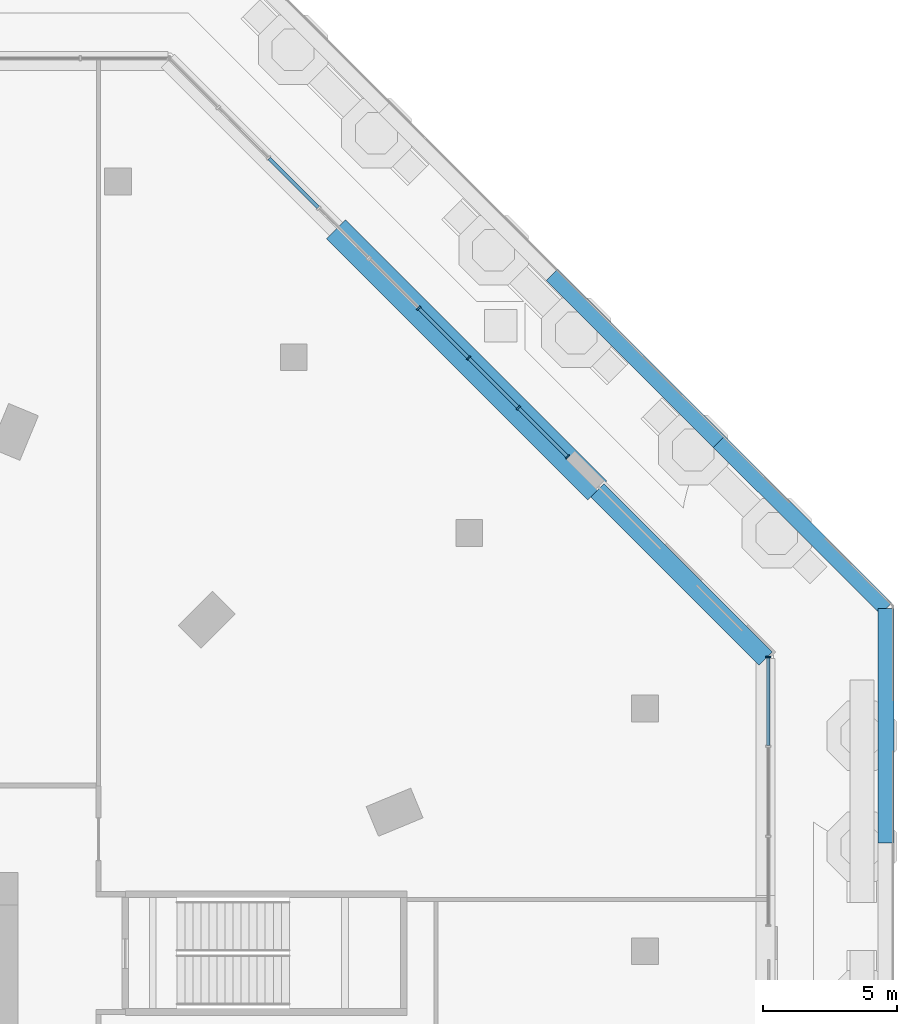
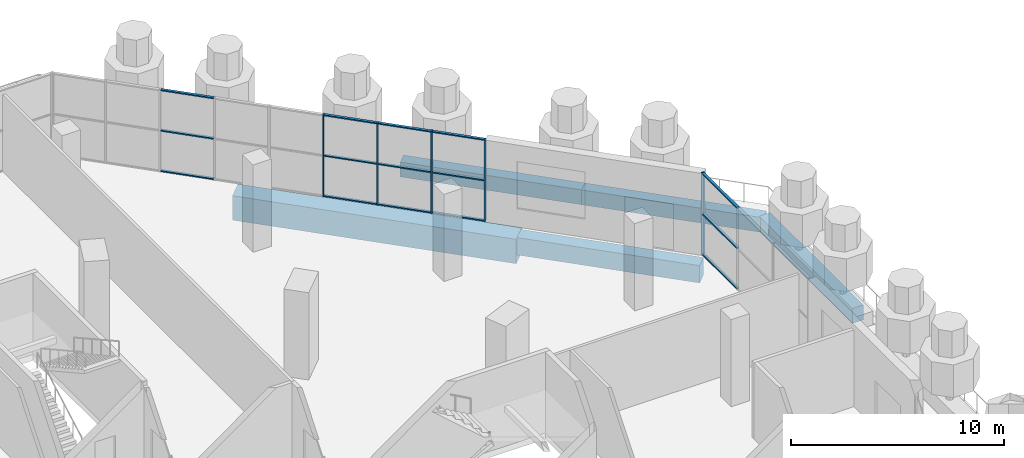
# One storey, part 16 of 32: 20 members, 5 beams, 3 elements without a shape of their own.
"""IFC4 building model written with IfcOpenShell, lengths in metres."""

from ifc_helpers import new_model, si_unit, direction, frame, origin, origin_2d, place, context, subcontext, project, spatial, rectangle, extrude, material, material_profile, profile_set, type_object, element, aggregate, save


model = new_model("IFC4")

# Units and contexts
model_context = context("Model", 3, precision=1e-05, world=origin(), true_north=direction((0.0, 1.0)))
body_context = subcontext(model_context, "Body", "Model", "MODEL_VIEW")
ifc_project = project(units=[si_unit("LENGTHUNIT", "METRE"), si_unit("AREAUNIT", "SQUARE_METRE"), si_unit("VOLUMEUNIT", "CUBIC_METRE"), si_unit("PLANEANGLEUNIT", "RADIAN"), si_unit("MASSUNIT", "GRAM", prefix="KILO")], contexts=[model_context])

# Site, building, storey
site_placement = place(None, origin())
site = spatial("IfcSite", under=ifc_project, at=site_placement, CompositionType="ELEMENT")
building_placement = place(site_placement, origin())
building = spatial("IfcBuilding", under=site, at=building_placement, Name="Msitu Wima Residences", CompositionType="ELEMENT")
storey_placement = place(building_placement, frame((0.0, 0.0, 6.0)))
storey = spatial("IfcBuildingStorey", under=building, at=storey_placement, Name="L01", CompositionType="ELEMENT", Elevation=6.0)

# Curtain wall, member
ifc_material_1 = material(Name="Anodised aluminium, bronze finish, clear low-emissivity double glazing", Category="aluminium")
curtain_wall_type = type_object("IfcCurtainWallType", Name="Curtain wall CW5 retail shopfront", PredefinedType="NOTDEFINED", material=ifc_material_1)
curtain_wall_1_placement = place(storey_placement, origin())
curtain_wall_1 = element("IfcCurtainWall", 1, at=curtain_wall_1_placement, inside=storey, type_object=curtain_wall_type, Name="Curtain wall CW5 L01 E3", PredefinedType="NOTDEFINED")
ifc_material_2 = material(Name="Anodised aluminium, bronze finish", Category="aluminium")
ifc_material_profile_1 = material_profile(ifc_material_2, rectangle(XDim=0.179931640625, YDim=0.06494140625, at=origin_2d()), Name="Mullion 65x180")
ifc_profile_set_1 = profile_set([ifc_material_profile_1], Name="Anodised aluminium, bronze finish")
member_type_1 = type_object("IfcMemberType", Name="Mullion CW5 65x180", PredefinedType="MULLION", material=ifc_profile_set_1)
member_1_placement = place(storey_placement, frame((42.39990234375, 20.052490234375, 0.0), z_axis=(0.0, 0.0, 1.0), x_axis=(-1.0, 0.0, 0.0)))
member_1 = element("IfcMember", 2, at=member_1_placement, type_object=member_type_1, Name="CW5 mullion 4", PredefinedType="MULLION", context=body_context, shape_type="SweptSolid", body=[
    extrude(rectangle(XDim=0.179931640625, YDim=0.06494140625, at=origin_2d()), origin(), (0.0, 0.0, 1.0), 4.699951171875),
])

# Curtain wall, members
curtain_wall_2_placement = place(storey_placement, origin())
curtain_wall_2 = element("IfcCurtainWall", 3, at=curtain_wall_2_placement, inside=storey, type_object=curtain_wall_type, Name="Curtain wall CW5 L01 NE1", PredefinedType="NOTDEFINED")
member_2_placement = place(storey_placement, frame((34.91162109375, 27.521728515625, 0.0), z_axis=(0.0, 0.0, 1.0), x_axis=(-0.707106781187, -0.707106781187, 0.0)))
member_2 = element("IfcMember", 4, at=member_2_placement, type_object=member_type_1, Name="CW5 mullion 1", PredefinedType="MULLION", context=body_context, shape_type="SweptSolid", body=[
    extrude(rectangle(XDim=0.179931640625, YDim=0.06494140625, at=origin_2d()), origin(), (0.0, 0.0, 1.0), 4.699951171875),
])
member_3_placement = place(storey_placement, frame((33.07568359375, 29.357666015625, 0.0), z_axis=(0.0, 0.0, 1.0), x_axis=(-0.707106781187, -0.707106781187, 0.0)))
member_3 = element("IfcMember", 5, at=member_3_placement, type_object=member_type_1, Name="CW5 mullion 2", PredefinedType="MULLION", context=body_context, shape_type="SweptSolid", body=[
    extrude(rectangle(XDim=0.179931640625, YDim=0.06494140625, at=origin_2d()), origin(), (0.0, 0.0, 1.0), 4.699951171875),
])
member_4_placement = place(storey_placement, frame((31.216552734375, 31.216552734375, 0.0), z_axis=(0.0, 0.0, 1.0), x_axis=(-0.707106781187, -0.707106781187, 0.0)))
member_4 = element("IfcMember", 6, at=member_4_placement, type_object=member_type_1, Name="CW5 mullion 3", PredefinedType="MULLION", context=body_context, shape_type="SweptSolid", body=[
    extrude(rectangle(XDim=0.179931640625, YDim=0.06494140625, at=origin_2d()), origin(), (0.0, 0.0, 1.0), 4.699951171875),
])
member_5_placement = place(storey_placement, frame((29.357666015625, 33.07568359375, 0.0), z_axis=(0.0, 0.0, 1.0), x_axis=(-0.707106781187, -0.707106781187, 0.0)))
member_5 = element("IfcMember", 7, at=member_5_placement, type_object=member_type_1, Name="CW5 mullion 4", PredefinedType="MULLION", context=body_context, shape_type="SweptSolid", body=[
    extrude(rectangle(XDim=0.179931640625, YDim=0.06494140625, at=origin_2d()), origin(), (0.0, 0.0, 1.0), 4.699951171875),
])

# Beams
ifc_material_3 = material(Name="Concrete C60/75", Category="concrete")
ifc_material_profile_2 = material_profile(ifc_material_3, rectangle(XDim=1.0, YDim=1.39990234375, at=origin_2d()), Name="RC 1000x1400")
ifc_profile_set_2 = profile_set([ifc_material_profile_2], Name="Concrete C60/75")
beam_type_1 = type_object("IfcBeamType", Name="Terrace beam RC 1000x1400 Concrete C60/75", PredefinedType="BEAM", material=ifc_profile_set_2)
beam_1_placement = place(storey_placement, frame((36.02392578125, 26.267822265625, -1.050048828125), z_axis=(-0.707106781187, 0.707106781187, 0.0), x_axis=(-0.707106781187, -0.707106781187, 0.0)))
element("IfcBeam", 8, at=beam_1_placement, inside=storey, type_object=beam_type_1, Name="Terrace upstand-line beam L01 T17", PredefinedType="BEAM", context=body_context, shape_type="SweptSolid", body=[
    extrude(rectangle(XDim=1.0, YDim=1.39990234375, at=origin_2d()), origin(), (0.0, 0.0, 1.0), 13.797119140625),
])
ifc_material_profile_3 = material_profile(ifc_material_3, rectangle(XDim=0.60009765625, YDim=0.85009765625, at=origin_2d()), Name="RC 600x850")
ifc_profile_set_3 = profile_set([ifc_material_profile_3], Name="Concrete C60/75")
beam_type_2 = type_object("IfcBeamType", Name="Terrace beam RC 600x850 Concrete C60/75", PredefinedType="BEAM", material=ifc_profile_set_3)
beam_2_placement = place(storey_placement, frame((46.800048828125, 13.113525390625, -0.77490234375), z_axis=(0.0, 1.0, 0.0), x_axis=(-1.0, 0.0, 0.0)))
element("IfcBeam", 9, at=beam_2_placement, inside=storey, type_object=beam_type_2, Name="Terrace edge beam L00 C-E4", PredefinedType="BEAM", context=body_context, shape_type="SweptSolid", body=[
    extrude(rectangle(XDim=0.60009765625, YDim=0.85009765625, at=origin_2d()), origin(), (0.0, 0.0, 1.0), 8.742431640625),
])
for number, where, z_axis, x_axis, name in (
    (10, (46.800048828125, 21.85595703125, -0.77490234375), (-0.70712062282, 0.707092939282, 0.0), (-0.707092939282, -0.70712062282, 0.0), "Terrace edge beam L00 C-NE0"),
    (11, (40.56396484375, 28.091796875, -0.77490234375), (-0.707106781187, 0.707106781187, 0.0), (-0.707106781187, -0.707106781187, 0.0), "Terrace edge beam L00 C-NE1"),
):
    element("IfcBeam", number, at=place(storey_placement, frame(where, z_axis=z_axis, x_axis=x_axis)), inside=storey, type_object=beam_type_2, Name=name, PredefinedType="BEAM", context=body_context, shape_type="SweptSolid", body=[
        extrude(rectangle(XDim=0.60009765625, YDim=0.85009765625, at=origin_2d()), origin(), (0.0, 0.0, 1.0), 8.819091796875),
    ])
ifc_material_profile_4 = material_profile(ifc_material_3, rectangle(XDim=0.699951171875, YDim=1.0, at=origin_2d()), Name="RC 700x1000")
ifc_profile_set_4 = profile_set([ifc_material_profile_4], Name="Concrete C60/75")
beam_type_3 = type_object("IfcBeamType", Name="Terrace beam RC 700x1000 Concrete C60/75", PredefinedType="BEAM", material=ifc_profile_set_4)
beam_3_placement = place(storey_placement, frame((42.300048828125, 19.991943359375, -0.85009765625), z_axis=(-0.707120534516, 0.70709302759, 0.0), x_axis=(-0.70709302759, -0.707120534516, 0.0)))
element("IfcBeam", 12, at=beam_3_placement, inside=storey, type_object=beam_type_3, Name="Terrace upstand-line beam L01 T16", PredefinedType="BEAM", context=body_context, shape_type="SweptSolid", body=[
    extrude(rectangle(XDim=0.699951171875, YDim=1.0, at=origin_2d()), origin(), (0.0, 0.0, 1.0), 8.87548828125),
])

# Member
ifc_material_profile_5 = material_profile(ifc_material_2, rectangle(XDim=0.139892578125, YDim=0.06494140625, at=origin_2d()), Name="Transom 65x140")
ifc_profile_set_5 = profile_set([ifc_material_profile_5], Name="Anodised aluminium, bronze finish")
member_type_2 = type_object("IfcMemberType", Name="Transom CW5 65x140", PredefinedType="USERDEFINED", material=ifc_profile_set_5)
member_6_placement = place(storey_placement, frame((42.39990234375, 16.754638671875, 0.032470703125), z_axis=(0.0, 1.0, 0.0), x_axis=(-1.0, 0.0, 0.0)))
member_6 = element("IfcMember", 13, at=member_6_placement, type_object=member_type_2, Name="CW5 transom 3.1", ObjectType="TRANSOM", PredefinedType="USERDEFINED", context=body_context, shape_type="SweptSolid", body=[
    extrude(rectangle(XDim=0.139892578125, YDim=0.06494140625, at=origin_2d()), origin(), (0.0, 0.0, 1.0), 3.265380859375),
])

member_7_placement = place(storey_placement, frame((42.39990234375, 16.754638671875, 2.35009765625), z_axis=(0.0, 1.0, 0.0), x_axis=(-1.0, 0.0, 0.0)))
member_7 = element("IfcMember", 14, at=member_7_placement, type_object=member_type_2, Name="CW5 transom 3.2", ObjectType="TRANSOM", PredefinedType="USERDEFINED", context=body_context, shape_type="SweptSolid", body=[
    extrude(rectangle(XDim=0.139892578125, YDim=0.06494140625, at=origin_2d()), origin(), (0.0, 0.0, 1.0), 3.265380859375),
])

member_8_placement = place(storey_placement, frame((42.39990234375, 16.754638671875, 4.66748046875), z_axis=(0.0, 1.0, 0.0), x_axis=(-1.0, 0.0, 0.0)))
member_8 = element("IfcMember", 15, at=member_8_placement, type_object=member_type_2, Name="CW5 transom 3.3", ObjectType="TRANSOM", PredefinedType="USERDEFINED", context=body_context, shape_type="SweptSolid", body=[
    extrude(rectangle(XDim=0.139892578125, YDim=0.06494140625, at=origin_2d()), origin(), (0.0, 0.0, 1.0), 3.265380859375),
])

aggregate(curtain_wall_1, [member_1, member_6, member_7, member_8])

member_9_placement = place(storey_placement, frame((34.888671875, 27.544677734375, 0.032470703125), z_axis=(-0.707106781187, 0.707106781187, 0.0), x_axis=(-0.707106781187, -0.707106781187, 0.0)))
member_9 = element("IfcMember", 16, at=member_9_placement, type_object=member_type_2, Name="CW5 transom 1.1", ObjectType="TRANSOM", PredefinedType="USERDEFINED", context=body_context, shape_type="SweptSolid", body=[
    extrude(rectangle(XDim=0.139892578125, YDim=0.06494140625, at=origin_2d()), origin(), (0.0, 0.0, 1.0), 2.531494140625),
])

member_10_placement = place(storey_placement, frame((34.888671875, 27.544677734375, 2.35009765625), z_axis=(-0.707106781187, 0.707106781187, 0.0), x_axis=(-0.707106781187, -0.707106781187, 0.0)))
member_10 = element("IfcMember", 17, at=member_10_placement, type_object=member_type_2, Name="CW5 transom 1.2", ObjectType="TRANSOM", PredefinedType="USERDEFINED", context=body_context, shape_type="SweptSolid", body=[
    extrude(rectangle(XDim=0.139892578125, YDim=0.06494140625, at=origin_2d()), origin(), (0.0, 0.0, 1.0), 2.531494140625),
])

member_11_placement = place(storey_placement, frame((34.888671875, 27.544677734375, 4.66748046875), z_axis=(-0.707106781187, 0.707106781187, 0.0), x_axis=(-0.707106781187, -0.707106781187, 0.0)))
member_11 = element("IfcMember", 18, at=member_11_placement, type_object=member_type_2, Name="CW5 transom 1.3", ObjectType="TRANSOM", PredefinedType="USERDEFINED", context=body_context, shape_type="SweptSolid", body=[
    extrude(rectangle(XDim=0.139892578125, YDim=0.06494140625, at=origin_2d()), origin(), (0.0, 0.0, 1.0), 2.531494140625),
])

member_12_placement = place(storey_placement, frame((33.052734375, 29.380615234375, 0.032470703125), z_axis=(-0.707106781187, 0.707106781187, 0.0), x_axis=(-0.707106781187, -0.707106781187, 0.0)))
member_12 = element("IfcMember", 19, at=member_12_placement, type_object=member_type_2, Name="CW5 transom 2.1", ObjectType="TRANSOM", PredefinedType="USERDEFINED", context=body_context, shape_type="SweptSolid", body=[
    extrude(rectangle(XDim=0.139892578125, YDim=0.06494140625, at=origin_2d()), origin(), (0.0, 0.0, 1.0), 2.56396484375),
])

member_13_placement = place(storey_placement, frame((33.052734375, 29.380615234375, 2.35009765625), z_axis=(-0.707106781187, 0.707106781187, 0.0), x_axis=(-0.707106781187, -0.707106781187, 0.0)))
member_13 = element("IfcMember", 20, at=member_13_placement, type_object=member_type_2, Name="CW5 transom 2.2", ObjectType="TRANSOM", PredefinedType="USERDEFINED", context=body_context, shape_type="SweptSolid", body=[
    extrude(rectangle(XDim=0.139892578125, YDim=0.06494140625, at=origin_2d()), origin(), (0.0, 0.0, 1.0), 2.56396484375),
])

member_14_placement = place(storey_placement, frame((33.052734375, 29.380615234375, 4.66748046875), z_axis=(-0.707106781187, 0.707106781187, 0.0), x_axis=(-0.707106781187, -0.707106781187, 0.0)))
member_14 = element("IfcMember", 21, at=member_14_placement, type_object=member_type_2, Name="CW5 transom 2.3", ObjectType="TRANSOM", PredefinedType="USERDEFINED", context=body_context, shape_type="SweptSolid", body=[
    extrude(rectangle(XDim=0.139892578125, YDim=0.06494140625, at=origin_2d()), origin(), (0.0, 0.0, 1.0), 2.56396484375),
])

member_15_placement = place(storey_placement, frame((31.193603515625, 31.23974609375, 0.032470703125), z_axis=(-0.707106781187, 0.707106781187, 0.0), x_axis=(-0.707106781187, -0.707106781187, 0.0)))
member_15 = element("IfcMember", 22, at=member_15_placement, type_object=member_type_2, Name="CW5 transom 3.1", ObjectType="TRANSOM", PredefinedType="USERDEFINED", context=body_context, shape_type="SweptSolid", body=[
    extrude(rectangle(XDim=0.139892578125, YDim=0.06494140625, at=origin_2d()), origin(), (0.0, 0.0, 1.0), 2.56396484375),
])

member_16_placement = place(storey_placement, frame((31.193603515625, 31.23974609375, 2.35009765625), z_axis=(-0.707106781187, 0.707106781187, 0.0), x_axis=(-0.707106781187, -0.707106781187, 0.0)))
member_16 = element("IfcMember", 23, at=member_16_placement, type_object=member_type_2, Name="CW5 transom 3.2", ObjectType="TRANSOM", PredefinedType="USERDEFINED", context=body_context, shape_type="SweptSolid", body=[
    extrude(rectangle(XDim=0.139892578125, YDim=0.06494140625, at=origin_2d()), origin(), (0.0, 0.0, 1.0), 2.56396484375),
])

member_17_placement = place(storey_placement, frame((31.193603515625, 31.23974609375, 4.66748046875), z_axis=(-0.707106781187, 0.707106781187, 0.0), x_axis=(-0.707106781187, -0.707106781187, 0.0)))
member_17 = element("IfcMember", 24, at=member_17_placement, type_object=member_type_2, Name="CW5 transom 3.3", ObjectType="TRANSOM", PredefinedType="USERDEFINED", context=body_context, shape_type="SweptSolid", body=[
    extrude(rectangle(XDim=0.139892578125, YDim=0.06494140625, at=origin_2d()), origin(), (0.0, 0.0, 1.0), 2.56396484375),
])

aggregate(curtain_wall_2, [member_2, member_3, member_4, member_5, member_9, member_10, member_11, member_12, member_13, member_14, member_15, member_16, member_17])

# Curtain wall, members
curtain_wall_3_placement = place(storey_placement, origin())
curtain_wall_3 = element("IfcCurtainWall", 25, at=curtain_wall_3_placement, inside=storey, type_object=curtain_wall_type, Name="Curtain wall CW5 L01 NE2", PredefinedType="NOTDEFINED")
member_18_placement = place(storey_placement, frame((25.60009765625, 36.833251953125, 0.032470703125), z_axis=(-0.707106781187, 0.707106781187, 0.0), x_axis=(-0.707106781187, -0.707106781187, 0.0)))
member_18 = element("IfcMember", 26, at=member_18_placement, type_object=member_type_2, Name="CW5 transom 2.1", ObjectType="TRANSOM", PredefinedType="USERDEFINED", context=body_context, shape_type="SweptSolid", body=[
    extrude(rectangle(XDim=0.139892578125, YDim=0.06494140625, at=origin_2d()), origin(), (0.0, 0.0, 1.0), 2.587158203125),
])
member_19_placement = place(storey_placement, frame((25.60009765625, 36.833251953125, 2.35009765625), z_axis=(-0.707106781187, 0.707106781187, 0.0), x_axis=(-0.707106781187, -0.707106781187, 0.0)))
member_19 = element("IfcMember", 27, at=member_19_placement, type_object=member_type_2, Name="CW5 transom 2.2", ObjectType="TRANSOM", PredefinedType="USERDEFINED", context=body_context, shape_type="SweptSolid", body=[
    extrude(rectangle(XDim=0.139892578125, YDim=0.06494140625, at=origin_2d()), origin(), (0.0, 0.0, 1.0), 2.587158203125),
])
member_20_placement = place(storey_placement, frame((25.60009765625, 36.833251953125, 4.66748046875), z_axis=(-0.707106781187, 0.707106781187, 0.0), x_axis=(-0.707106781187, -0.707106781187, 0.0)))
member_20 = element("IfcMember", 28, at=member_20_placement, type_object=member_type_2, Name="CW5 transom 2.3", ObjectType="TRANSOM", PredefinedType="USERDEFINED", context=body_context, shape_type="SweptSolid", body=[
    extrude(rectangle(XDim=0.139892578125, YDim=0.06494140625, at=origin_2d()), origin(), (0.0, 0.0, 1.0), 2.587158203125),
])
aggregate(curtain_wall_3, [member_18, member_19, member_20])

save(model, "model.ifc")
